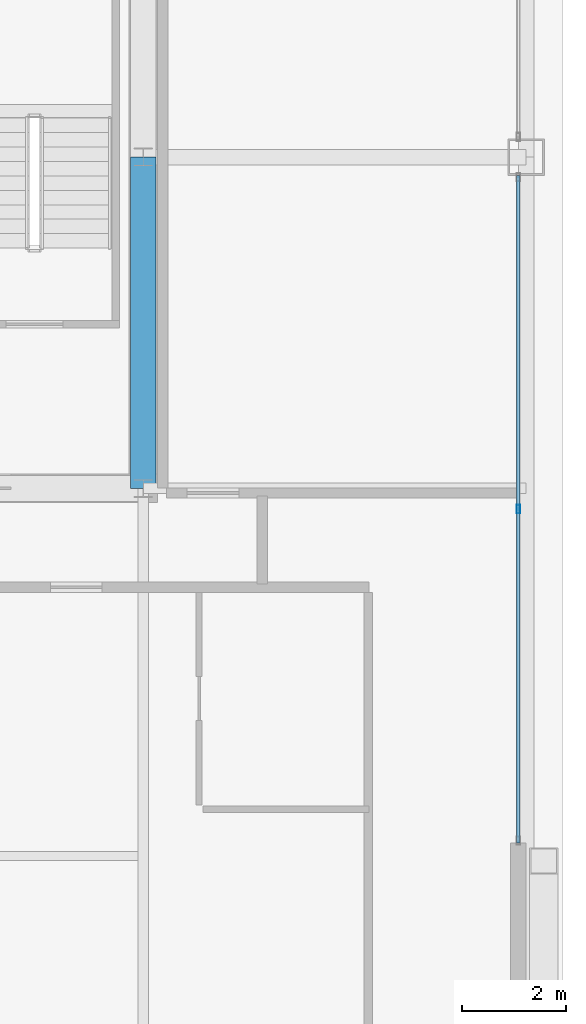
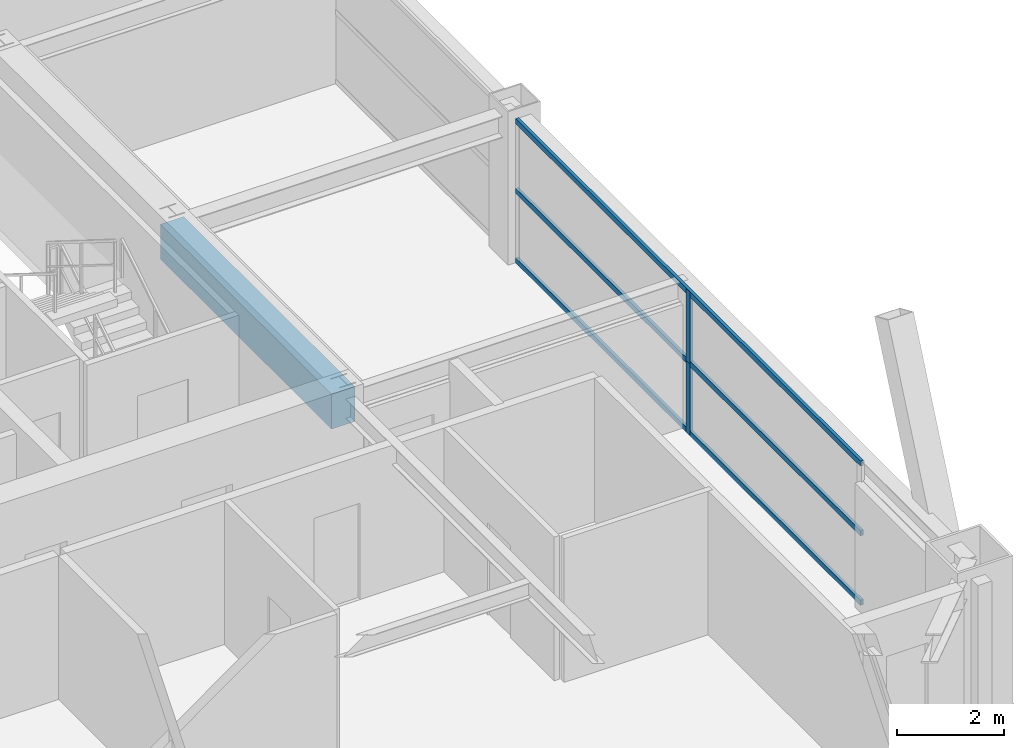
# One storey, part 18 of 35: 5 members, 1 beam, 1 element without a shape of its own.
"""IFC4 building model written with IfcOpenShell, lengths in metres."""

from ifc_helpers import new_model, si_unit, direction, frame, origin, origin_2d, place, context, subcontext, project, spatial, rectangle, hollow_rectangle, extrude, source, transform, mapped, material, layer, layer_set, material_profile, profile_set, type_object, element, aggregate, save


model = new_model("IFC4")

# Units and contexts
model_context = context("Model", 3, precision=1e-05, world=origin(), true_north=direction((0.0, 1.0)))
body_context = subcontext(model_context, "Body", "Model", "MODEL_VIEW")
ifc_project = project(units=[si_unit("LENGTHUNIT", "METRE"), si_unit("AREAUNIT", "SQUARE_METRE"), si_unit("VOLUMEUNIT", "CUBIC_METRE"), si_unit("PLANEANGLEUNIT", "RADIAN"), si_unit("MASSUNIT", "GRAM", prefix="KILO"), si_unit("THERMODYNAMICTEMPERATUREUNIT", "KELVIN"), si_unit("POWERUNIT", "WATT")], contexts=[model_context])

# Site, building, storey
site_placement = place(None, origin())
site = spatial("IfcSite", under=ifc_project, at=site_placement, CompositionType="ELEMENT")
building_placement = place(site_placement, origin())
building = spatial("IfcBuilding", under=site, at=building_placement, Name="Yuzanri Waterfront Tower", CompositionType="ELEMENT")
storey_placement = place(building_placement, frame((0.0, 0.0, 271.60009765625)))
storey = spatial("IfcBuildingStorey", under=building, at=storey_placement, Name="L72", CompositionType="ELEMENT", Elevation=271.60009765625)

# Beam
ifc_material_1 = material(Name="Concrete C50", Category="concrete")
ifc_material_profile_1 = material_profile(ifc_material_1, rectangle(XDim=0.5, YDim=0.800048828125, at=origin_2d()), Name="RC 500x800")
ifc_profile_set_1 = profile_set([ifc_material_profile_1], Name="Concrete C50")
beam_type = type_object("IfcBeamType", Name="Core Coupling Lintel Concrete C50 500x800", PredefinedType="LINTEL", material=ifc_profile_set_1)
shared_shape_1 = source(origin(), body_context, "Body", "SweptSolid", [
    extrude(rectangle(XDim=0.5, YDim=0.800048828125, at=origin_2d()), origin(), (0.0, 0.0, 1.0), 6.400146484375),
])
beam_placement = place(storey_placement, frame((50.199951171875, 19.39990234375, 2.8798828125), z_axis=(0.0, 1.0, 0.0), x_axis=(-1.0, 0.0, 0.0)))
element("IfcBeam", 1, at=beam_placement, inside=storey, type_object=beam_type, Name="L72 Core Tie Beam CE1", PredefinedType="LINTEL", context=body_context, shape_type="MappedRepresentation", body=[
    mapped(shared_shape_1, transform((0.0, 0.0, 0.0), scale=1.0)),
])

# Curtain wall, members
ifc_material_2 = material(Name="Anodized Architectural Bronze", Category="metal")
ifc_layer = layer(ifc_material_2, 0.159912109375)
ifc_layer_set = layer_set([ifc_layer], Name="Anodized Architectural Bronze")
curtain_wall_type = type_object("IfcCurtainWallType", Name="Anodized Bronze Mid-Rise Residential Acoustic Unitized Curtain Wall 7200", PredefinedType="NOTDEFINED", material=ifc_layer_set)
curtain_wall_placement = place(storey_placement, origin())
curtain_wall = element("IfcCurtainWall", 2, at=curtain_wall_placement, inside=storey, type_object=curtain_wall_type, Name="L72 Curtain Wall CW-L72-EL", PredefinedType="NOTDEFINED")
ifc_material_3 = material(Name="Anodized Architectural Bronze", Category="metal")
ifc_material_profile_2 = material_profile(ifc_material_3, hollow_rectangle(XDim=0.06494140625, YDim=0.159912109375, WallThickness=0.00341796875, at=origin_2d()), Name="CWM 65x160")
ifc_profile_set_2 = profile_set([ifc_material_profile_2], Name="Anodized Architectural Bronze")
member_type_1 = type_object("IfcMemberType", Name="Anodized Bronze Upper-Zone Curtain-Wall Mullion 65x160", PredefinedType="MULLION", material=ifc_profile_set_2)
shared_shape_2 = source(origin(), body_context, "Body", "SweptSolid", [
    extrude(hollow_rectangle(XDim=0.06494140625, YDim=0.159912109375, WallThickness=0.00341796875, at=origin_2d()), origin(), (0.0, 0.0, 1.0), 1.637939453125),
])
member_1_placement = place(storey_placement, frame((57.449951171875, 19.0, 0.0), z_axis=(0.0, 0.0, 1.0), x_axis=(1.0, 0.0, 0.0)))
member_1 = element("IfcMember", 3, at=member_1_placement, type_object=member_type_1, Name="CW-L72-EL Lower Mullion 01", PredefinedType="MULLION", context=body_context, shape_type="MappedRepresentation", body=[
    mapped(shared_shape_2, transform((0.0, 0.0, 0.0), scale=1.0)),
])
member_2_placement = place(storey_placement, frame((57.449951171875, 19.0, 1.641845703125), z_axis=(0.0, 0.0, 1.0), x_axis=(1.0, 0.0, 0.0)))
member_2 = element("IfcMember", 4, at=member_2_placement, type_object=member_type_1, Name="CW-L72-EL Upper Mullion 01", PredefinedType="MULLION", context=body_context, shape_type="MappedRepresentation", body=[
    mapped(shared_shape_2, transform((0.0, 0.0, 0.0), scale=1.0)),
])
ifc_material_4 = material(Name="Anodized Architectural Bronze", Category="metal")
ifc_material_profile_3 = material_profile(ifc_material_4, hollow_rectangle(XDim=0.06494140625, YDim=0.1201171875, WallThickness=0.00341796875, at=origin_2d()), Name="CWT 65x120")
ifc_profile_set_3 = profile_set([ifc_material_profile_3], Name="Anodized Architectural Bronze")
member_type_2 = type_object("IfcMemberType", Name="Anodized Bronze Secondary Curtain-Wall Transom 65x120", PredefinedType="USERDEFINED", material=ifc_profile_set_3)
shared_shape_3 = source(origin(), body_context, "Body", "SweptSolid", [
    extrude(hollow_rectangle(XDim=0.06494140625, YDim=0.1201171875, WallThickness=0.00341796875, at=origin_2d()), origin(), (0.0, 0.0, 1.0), 12.89990234375),
])
member_3_placement = place(storey_placement, frame((57.449951171875, 12.550048828125, 0.0498046875), z_axis=(0.0, 1.0, 0.0), x_axis=(-1.0, 0.0, 0.0)))
member_3 = element("IfcMember", 5, at=member_3_placement, type_object=member_type_2, Name="CW-L72-EL Transom 1", ObjectType="TRANSOM", PredefinedType="USERDEFINED", context=body_context, shape_type="MappedRepresentation", body=[
    mapped(shared_shape_3, transform((0.0, 0.0, 0.0), scale=1.0)),
])
member_4_placement = place(storey_placement, frame((57.449951171875, 12.550048828125, 1.639892578125), z_axis=(0.0, 1.0, 0.0), x_axis=(-1.0, 0.0, 0.0)))
member_4 = element("IfcMember", 6, at=member_4_placement, type_object=member_type_2, Name="CW-L72-EL Transom 2", ObjectType="TRANSOM", PredefinedType="USERDEFINED", context=body_context, shape_type="MappedRepresentation", body=[
    mapped(shared_shape_3, transform((0.0, 0.0, 0.0), scale=1.0)),
])
member_5_placement = place(storey_placement, frame((57.449951171875, 12.550048828125, 3.22998046875), z_axis=(0.0, 1.0, 0.0), x_axis=(-1.0, 0.0, 0.0)))
member_5 = element("IfcMember", 7, at=member_5_placement, type_object=member_type_2, Name="CW-L72-EL Transom 3", ObjectType="TRANSOM", PredefinedType="USERDEFINED", context=body_context, shape_type="MappedRepresentation", body=[
    mapped(shared_shape_3, transform((0.0, 0.0, 0.0), scale=1.0)),
])
aggregate(curtain_wall, [member_1, member_2, member_3, member_4, member_5])

save(model, "model.ifc")
